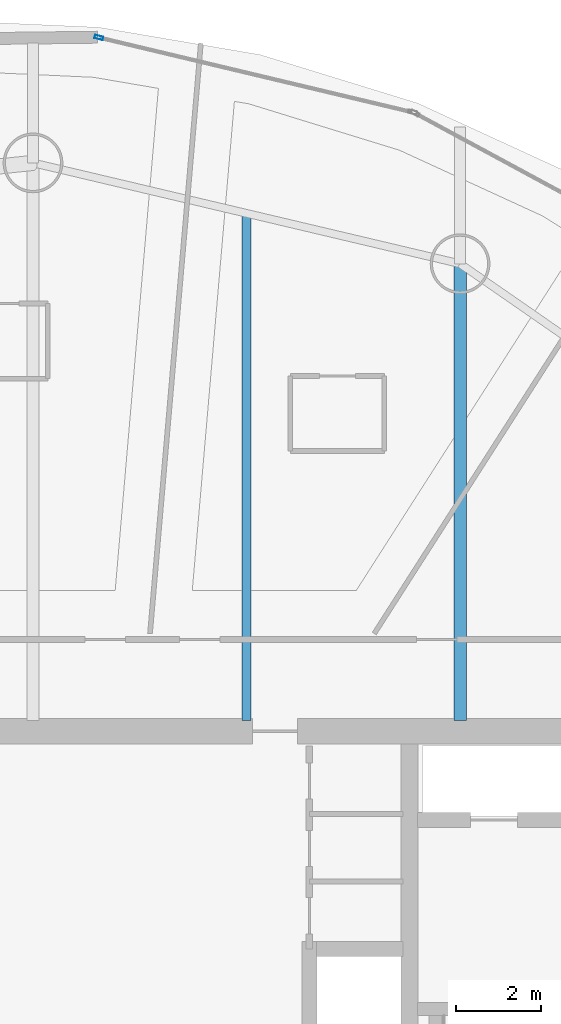
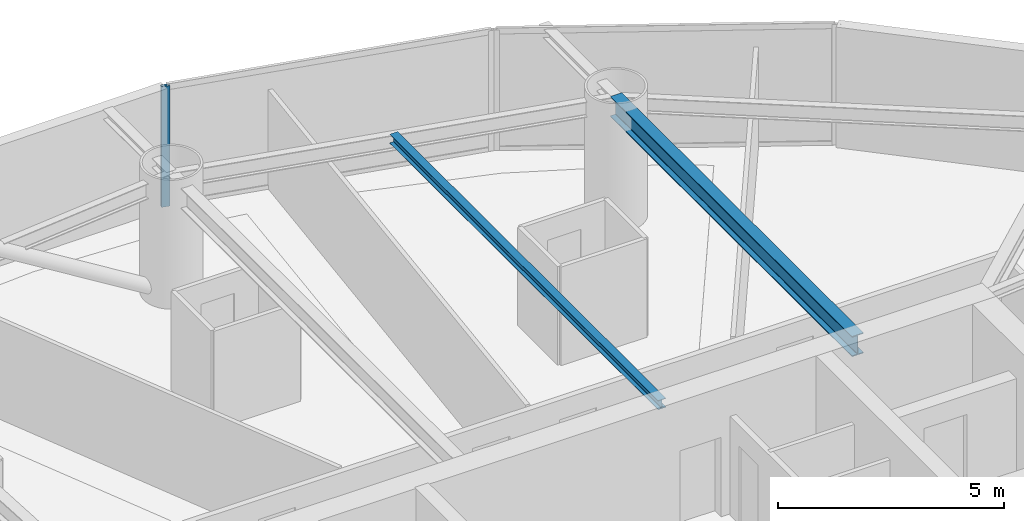
# One storey, part 12 of 22: 2 beams, 1 member, 1 element without a shape of its own.
"""IFC4 building model written with IfcOpenShell, lengths in metres."""

from ifc_helpers import new_model, si_unit, direction, frame, origin, origin_2d, place, context, subcontext, project, spatial, hollow_rectangle, i_section, extrude, material, layer, layer_set, material_profile, profile_set, type_object, element, aggregate, save


model = new_model("IFC4")

# Units and contexts
model_context = context("Model", 3, precision=1e-05, world=origin(), true_north=direction((0.0, 1.0)))
body_context = subcontext(model_context, "Body", "Model", "MODEL_VIEW")
ifc_project = project(units=[si_unit("LENGTHUNIT", "METRE"), si_unit("AREAUNIT", "SQUARE_METRE"), si_unit("VOLUMEUNIT", "CUBIC_METRE"), si_unit("PLANEANGLEUNIT", "RADIAN"), si_unit("MASSUNIT", "GRAM", prefix="KILO")], contexts=[model_context])

# Site, building, storey
site_placement = place(None, origin())
site = spatial("IfcSite", under=ifc_project, at=site_placement, CompositionType="ELEMENT")
building_placement = place(site_placement, origin())
building = spatial("IfcBuilding", under=site, at=building_placement, Name="Bramvorn Convention Spire", CompositionType="ELEMENT")
storey_placement = place(building_placement, frame((0.0, 0.0, 116.800048828125)))
storey = spatial("IfcBuildingStorey", under=building, at=storey_placement, Name="L28", CompositionType="ELEMENT", Elevation=116.800048828125)

# Beams
ifc_material_1 = material(Name="Steel CSA G40.21 Grade 350 (350W)", Category="steel")
ifc_material_profile_1 = material_profile(ifc_material_1, i_section(OverallWidth=0.201904296875, OverallDepth=0.2470703125, WebThickness=0.00732421875, FlangeThickness=0.010986328125, FilletRadius=0.011962890625, at=origin_2d()))
ifc_profile_set_1 = profile_set([ifc_material_profile_1], Name="Steel CSA G40.21 Grade 350 (350W) - W250X49")
beam_type_1 = type_object("IfcBeamType", Name="BM-W250X49", PredefinedType="JOIST", material=ifc_profile_set_1)
beam_1_placement = place(storey_placement, frame((41.079345703125, 33.449951171875, 3.136474609375), z_axis=(0.0, 1.0, 0.0), x_axis=(-1.0, 0.0, 0.0)))
element("IfcBeam", 1, at=beam_1_placement, inside=storey, type_object=beam_type_1, Name="L28 composite floor joist 05", PredefinedType="JOIST", context=body_context, shape_type="SweptSolid", body=[
    extrude(i_section(OverallWidth=0.201904296875, OverallDepth=0.2470703125, WebThickness=0.00732421875, FlangeThickness=0.010986328125, FilletRadius=0.011962890625, at=origin_2d()), origin(), (0.0, 0.0, 1.0), 11.8857421875),
])
ifc_material_profile_2 = material_profile(ifc_material_1, i_section(OverallWidth=0.2919921875, OverallDepth=0.551025390625, WebThickness=0.01513671875, FlangeThickness=0.0244140625, FilletRadius=0.01904296875, at=origin_2d()))
ifc_profile_set_2 = profile_set([ifc_material_profile_2], Name="Steel CSA G40.21 Grade 350 (350W) - W530X182")
beam_type_2 = type_object("IfcBeamType", Name="BM-W530X182", PredefinedType="BEAM", material=ifc_profile_set_2)
beam_2_placement = place(storey_placement, frame((46.082763671875, 33.449951171875, 2.984375), z_axis=(0.0, 1.0, 0.0), x_axis=(-1.0, 0.0, 0.0)))
element("IfcBeam", 2, at=beam_2_placement, inside=storey, type_object=beam_type_2, Name="L28 radial floor girder MC05", PredefinedType="BEAM", context=body_context, shape_type="SweptSolid", body=[
    extrude(i_section(OverallWidth=0.2919921875, OverallDepth=0.551025390625, WebThickness=0.01513671875, FlangeThickness=0.0244140625, FilletRadius=0.01904296875, at=origin_2d()), origin(), (0.0, 0.0, 1.0), 10.7041015625),
])

# Curtain wall, member
ifc_material_2 = material(Name="Anodised Bronze Unitised Curtain Wall", Category="aluminium")
ifc_layer = layer(ifc_material_2, 0.179931640625)
ifc_layer_set = layer_set([ifc_layer], Name="Anodised Bronze Unitised Curtain Wall - CW-HTL-FRIT")
curtain_wall_type = type_object("IfcCurtainWallType", Name="CW-HTL-FRIT", PredefinedType="USERDEFINED", material=ifc_layer_set)
curtain_wall_placement = place(storey_placement, origin())
curtain_wall = element("IfcCurtainWall", 3, at=curtain_wall_placement, inside=storey, type_object=curtain_wall_type, Name="L28 fritted glass curtain wall 07", ObjectType="UNITISED CURTAIN WALL", PredefinedType="USERDEFINED")
ifc_material_3 = material(Name="Anodised Bronze Aluminium 6063-T6", Category="aluminium")
ifc_material_profile_3 = material_profile(ifc_material_3, hollow_rectangle(XDim=0.080078125, YDim=0.199951171875, WallThickness=0.00390625, InnerFilletRadius=0.0009765625, OuterFilletRadius=0.00390625, at=origin_2d()))
ifc_profile_set_3 = profile_set([ifc_material_profile_3], Name="Anodised Bronze Aluminium 6063-T6 - CWM80X200")
member_type = type_object("IfcMemberType", Name="CW-MUL-180", PredefinedType="MULLION", material=ifc_profile_set_3)
member_placement = place(storey_placement, frame((37.619873046875, 49.455322265625, 0.0), z_axis=(0.0, 0.0, 1.0), x_axis=(0.231783804127, 0.972767324772, 0.0)))
member = element("IfcMember", 4, at=member_placement, type_object=member_type, Name="CW2 mullion 1", PredefinedType="MULLION", context=body_context, shape_type="SweptSolid", body=[
    extrude(hollow_rectangle(XDim=0.080078125, YDim=0.199951171875, WallThickness=0.00390625, InnerFilletRadius=0.0009765625, OuterFilletRadius=0.00390625, at=origin_2d()), origin(), (0.0, 0.0, 1.0), 3.260009765625),
])
aggregate(curtain_wall, [member])

save(model, "model.ifc")
